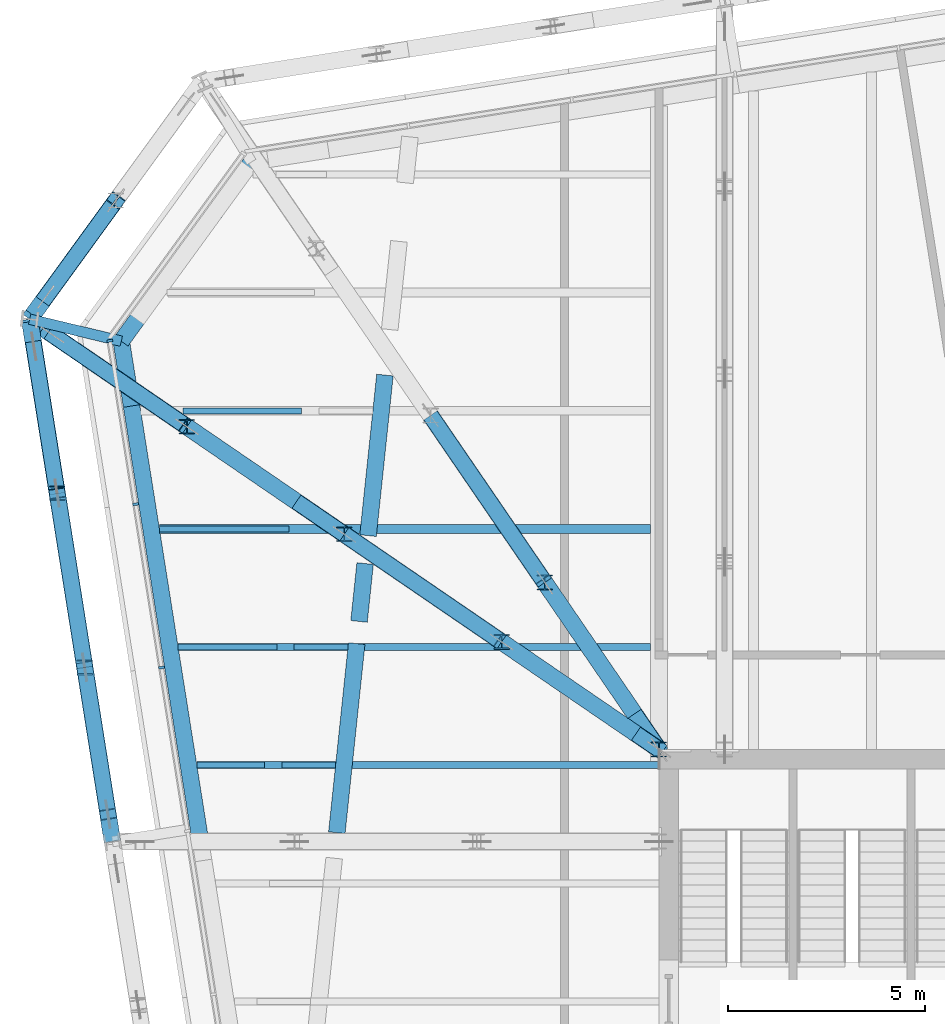
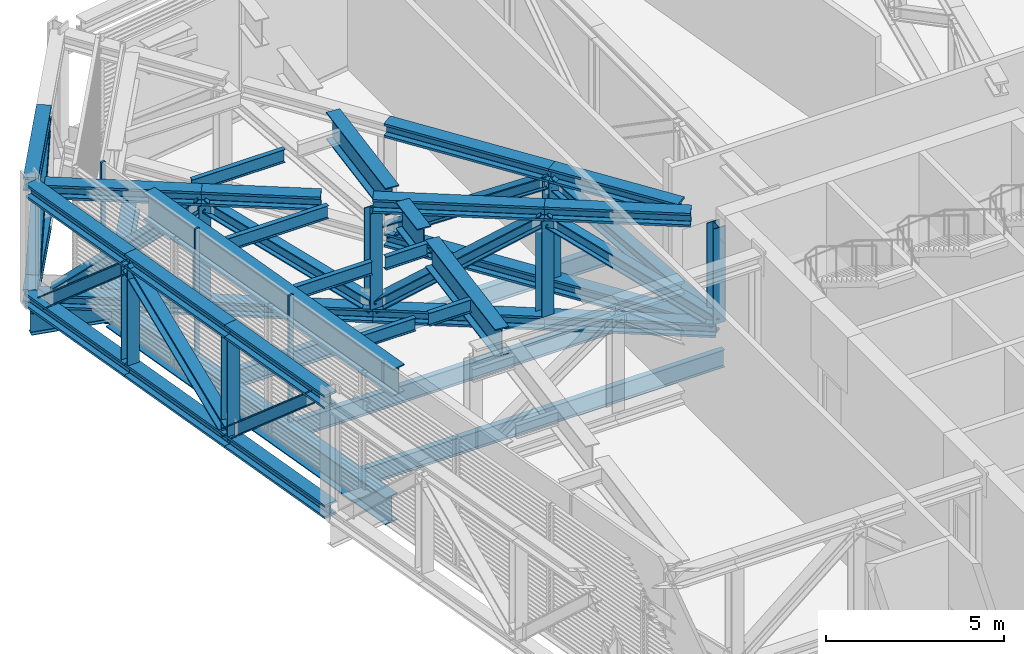
# One storey, part 12 of 32: 36 beams, 20 members, 1 element without a shape of its own.
"""IFC4 building model written with IfcOpenShell, lengths in metres."""

import ifcopenshell
import ifcopenshell.guid

model = None  # the IFC model being written
_history = None  # IfcOwnerHistory: only IFC2X3 demands one
_inside = {}  # id of a spatial element -> (the spatial element, [elements in it])
_under = {}  # id of a project, library or spatial element -> (it, [spatial elements below it])
_declared = {}  # id of a project -> (the project, [libraries it declares])
_typed = {}  # id of a type object -> (the type object, [elements of that type])
_made_of = {}  # id of a material, layer set ... -> (it, [elements and type objects made of it])


def new_model(schema):
    """Start an empty IFC model of exactly this schema.

    Asked for "IFC4X3", IfcOpenShell would pick the latest addendum, in which some entities
    have other attributes; the version numbers below select the first issue.
    IFC2X3 requires an IfcOwnerHistory on every rooted entity: one is made here for all.
    """
    global model, _history
    if schema == "IFC4X3":
        model = ifcopenshell.file(schema_version=(4, 3, 0, 0))
    else:
        model = ifcopenshell.file(schema=schema)
    _inside.clear()
    _under.clear()
    _declared.clear()
    _typed.clear()
    _made_of.clear()
    _history = None
    if model.schema == "IFC2X3":
        org = make("IfcOrganization", Name="unknown")
        user = make(
            "IfcPersonAndOrganization",
            ThePerson=make("IfcPerson", FamilyName="unknown"),
            TheOrganization=org,
        )
        app = make(
            "IfcApplication",
            ApplicationDeveloper=org,
            Version="unknown",
            ApplicationFullName="unknown",
            ApplicationIdentifier="unknown",
        )
        _history = make(
            "IfcOwnerHistory",
            OwningUser=user,
            OwningApplication=app,
            ChangeAction="ADDED",
            CreationDate=0,
        )
    return model


def make(cls, **values):
    """One entity of the class cls with the attributes given. An attribute that is None is left unset."""
    return model.create_entity(
        cls, **{name: value for name, value in values.items() if value is not None}
    )


def rooted(cls, **values):
    """An entity with a GlobalId (a new one), such as an element, a storey or a relation."""
    return make(cls, GlobalId=ifcopenshell.guid.new(), OwnerHistory=_history, **values)


def si_unit(unit_type, name, prefix=None):
    """IfcSIUnit, for example si_unit("LENGTHUNIT", "METRE", prefix="MILLI")."""
    return make("IfcSIUnit", UnitType=unit_type, Prefix=prefix, Name=name)


def assignment(units):
    """IfcUnitAssignment: the units of a project."""
    return None if units is None else make("IfcUnitAssignment", Units=units)


def point(xyz):
    """IfcCartesianPoint."""
    return None if xyz is None else make("IfcCartesianPoint", Coordinates=xyz)


def direction(xyz):
    """IfcDirection."""
    return None if xyz is None else make("IfcDirection", DirectionRatios=xyz)


def frame(location, z_axis=None, x_axis=None):
    """IfcAxis2Placement3D, a coordinate frame: its origin and axes. An axis left out is left unset."""
    return make(
        "IfcAxis2Placement3D",
        Location=point(location),
        Axis=direction(z_axis),
        RefDirection=direction(x_axis),
    )


def frame_2d(location, x_axis=None):
    """IfcAxis2Placement2D, a coordinate frame in the plane: its origin and x axis."""
    return make(
        "IfcAxis2Placement2D", Location=point(location), RefDirection=direction(x_axis)
    )


def origin():
    """The frame at (0, 0, 0) with its axes left unset."""
    return frame((0.0, 0.0, 0.0))


def origin_2d():
    """The frame at (0, 0) in the plane with its x axis left unset."""
    return frame_2d((0.0, 0.0))


def place(relative_to, where):
    """IfcLocalPlacement: puts the frame where relative to a parent placement (None: the world)."""
    return make(
        "IfcLocalPlacement", PlacementRelTo=relative_to, RelativePlacement=where
    )


def context(
    kind, dimensions, precision=None, world=None, true_north=None, identifier=None
):
    """IfcGeometricRepresentationContext, for example the 3D "Model" context."""
    return make(
        "IfcGeometricRepresentationContext",
        ContextIdentifier=identifier,
        ContextType=kind,
        CoordinateSpaceDimension=dimensions,
        Precision=precision,
        WorldCoordinateSystem=world,
        TrueNorth=true_north,
    )


def subcontext(parent, identifier, kind, view, scale=None):
    """IfcGeometricRepresentationSubContext, for example "Body" below "Model"."""
    return make(
        "IfcGeometricRepresentationSubContext",
        ContextIdentifier=identifier,
        ContextType=kind,
        ParentContext=parent,
        TargetScale=scale,
        TargetView=view,
    )


def project(units=None, contexts=None):
    """IfcProject with its units and contexts."""
    return rooted(
        "IfcProject",
        Name="project",
        RepresentationContexts=contexts,
        UnitsInContext=assignment(units),
    )


def spatial(cls, under=None, at=None, **own):
    """A site, building, storey or space (cls), placed at a placement, below another one or the project."""
    s = rooted(cls, ObjectPlacement=at, **own)
    if under is not None:
        _under.setdefault(under.id(), (under, []))[1].append(s)
    return s


def profile(cls, at=None, kind="AREA", **sizes):
    """A parametric profile (cls). Its sizes go by their IFC names, for example OverallWidth=200.0."""
    return make(cls, ProfileType=kind, Position=at, **sizes)


def rectangle(**sizes):
    """IfcRectangleProfileDef."""
    return profile("IfcRectangleProfileDef", **sizes)


def i_section(**sizes):
    """IfcIShapeProfileDef."""
    return profile("IfcIShapeProfileDef", **sizes)


def extrude(swept, where, along, depth):
    """IfcExtrudedAreaSolid: the profile swept, set in the frame where, extruded along a direction by depth."""
    return make(
        "IfcExtrudedAreaSolid",
        SweptArea=swept,
        Position=where,
        ExtrudedDirection=direction(along),
        Depth=depth,
    )


def shape(context_of_items, identifier, shape_type, items):
    """IfcShapeRepresentation: the items that make up one representation, for example the "Body"."""
    return make(
        "IfcShapeRepresentation",
        ContextOfItems=context_of_items,
        RepresentationIdentifier=identifier,
        RepresentationType=shape_type,
        Items=items,
    )


def material(Name=None, Category=None):
    """IfcMaterial."""
    return make("IfcMaterial", Name=Name, Category=Category)


def layer(
    of_material, thickness, ventilated=None, Name=None, Category=None, Priority=None
):
    """IfcMaterialLayer: one layer of a wall or slab, of a material (None: an air gap)."""
    return make(
        "IfcMaterialLayer",
        Material=of_material,
        LayerThickness=thickness,
        IsVentilated=ventilated,
        Name=Name,
        Category=Category,
        Priority=Priority,
    )


def layer_set(layers, Name=None):
    """IfcMaterialLayerSet."""
    return make("IfcMaterialLayerSet", MaterialLayers=layers, LayerSetName=Name)


def material_profile(
    of_material, cross_section, Name=None, Category=None, Priority=None
):
    """IfcMaterialProfile: a cross section and its material."""
    return make(
        "IfcMaterialProfile",
        Name=Name,
        Material=of_material,
        Profile=cross_section,
        Priority=Priority,
        Category=Category,
    )


def profile_set(profiles, Name=None, composite=None):
    """IfcMaterialProfileSet."""
    return make(
        "IfcMaterialProfileSet",
        Name=Name,
        MaterialProfiles=profiles,
        CompositeProfile=composite,
    )


def made_of(thing, what):
    """Note that an element or type object is made of a material, layer set ...; save() writes the relation."""
    if what is not None:
        _made_of.setdefault(what.id(), (what, []))[1].append(thing)
    return thing


def type_object(cls, material=None, **own):
    """A type object (cls), such as IfcWallType, which elements share."""
    return made_of(rooted(cls, **own), material)


def element(
    cls,
    number,
    at=None,
    inside=None,
    cuts=None,
    type_object=None,
    material=None,
    context=None,
    identifier="Body",
    shape_type=None,
    held_by="IfcProductDefinitionShape",
    body=None,
    shapes=None,
    **own,
):
    """One element of the class cls, such as IfcWall. Its Tag is "e" and its number.

    at: its placement. inside: the storey or other place that contains it. cuts: it is an
    opening in that element (IfcRelVoidsElement). A single representation is given by context,
    identifier, shape_type and body (its items); several are given by shapes. held_by: the class
    of the entity that holds the representations. save() writes the other relations.
    """
    e = rooted(cls, Tag="e%d" % number, ObjectPlacement=at, **own)
    if body is not None:
        shapes = [shape(context, identifier, shape_type, body)]
    if shapes is not None:
        e.Representation = make(held_by, Representations=shapes)
    if inside is not None:
        _inside.setdefault(inside.id(), (inside, []))[1].append(e)
    if cuts is not None:
        rooted(
            "IfcRelVoidsElement", RelatingBuildingElement=cuts, RelatedOpeningElement=e
        )
    if type_object is not None:
        _typed.setdefault(type_object.id(), (type_object, []))[1].append(e)
    return made_of(e, material)


def aggregate(whole, parts):
    """IfcRelAggregates: a whole, such as a stair, and the parts it consists of."""
    return rooted("IfcRelAggregates", RelatingObject=whole, RelatedObjects=parts)


def save(model, path):
    """Write the relations noted so far, then the file.

    IfcRelAggregates (storeys below a building ...), IfcRelContainedInSpatialStructure (elements
    in a storey), IfcRelDefinesByType, IfcRelAssociatesMaterial and IfcRelDeclares: one each for
    every whole, place, type object, material and project.
    """
    for whole, parts in _under.values():
        aggregate(whole, parts)
    for where, things in _inside.values():
        rooted(
            "IfcRelContainedInSpatialStructure",
            RelatedElements=things,
            RelatingStructure=where,
        )
    for kind, things in _typed.values():
        rooted("IfcRelDefinesByType", RelatedObjects=things, RelatingType=kind)
    for what, things in _made_of.values():
        rooted("IfcRelAssociatesMaterial", RelatedObjects=things, RelatingMaterial=what)
    for by, libraries in _declared.values():
        rooted("IfcRelDeclares", RelatingContext=by, RelatedDefinitions=libraries)
    model.write(path)


model = new_model("IFC4")

# Units and contexts
model_context = context("Model", 3, precision=1e-05, world=origin(), true_north=direction((0.0, 1.0)))
body_context = subcontext(model_context, "Body", "Model", "MODEL_VIEW")
ifc_project = project(units=[si_unit("LENGTHUNIT", "METRE"), si_unit("AREAUNIT", "SQUARE_METRE"), si_unit("VOLUMEUNIT", "CUBIC_METRE"), si_unit("PLANEANGLEUNIT", "RADIAN"), si_unit("MASSUNIT", "GRAM", prefix="KILO")], contexts=[model_context])

# Site, building, storey
site_placement = place(None, origin())
site = spatial("IfcSite", under=ifc_project, at=site_placement, CompositionType="ELEMENT")
building_placement = place(site_placement, origin())
building = spatial("IfcBuilding", under=site, at=building_placement, Name="Millrace Tower", CompositionType="ELEMENT")
storey_placement = place(building_placement, frame((0.0, 0.0, 266.89990234375)))
storey = spatial("IfcBuildingStorey", under=building, at=storey_placement, Name="L61", CompositionType="ELEMENT", Elevation=266.89990234375)

# Beams
ifc_material_1 = material(Name="Steel ASTM A992 Grade 50", Category="steel")
ifc_material_profile_1 = material_profile(ifc_material_1, i_section(OverallWidth=0.424072265625, OverallDepth=0.47509765625, WebThickness=0.0478515625, FlangeThickness=0.0771484375, FilletRadius=0.014892578125, at=origin_2d()))
ifc_profile_set_1 = profile_set([ifc_material_profile_1], Name="Steel ASTM A992 Grade 50")
beam_type_1 = type_object("IfcBeamType", Name="Belt truss chord W14x426", PredefinedType="BEAM", material=ifc_profile_set_1)
beam_1_placement = place(storey_placement, frame((-28.1875, 23.34033203125, 0.237548828125), z_axis=(-0.587774393355, -0.809024883744, 0.0), x_axis=(0.809024883744, -0.587774393355, 0.0)))
element("IfcBeam", 1, at=beam_1_placement, inside=storey, type_object=beam_type_1, Name="BLT-L61-R13-B02", PredefinedType="BEAM", context=body_context, shape_type="SweptSolid", body=[
    extrude(i_section(OverallWidth=0.424072265625, OverallDepth=0.47509765625, WebThickness=0.0478515625, FlangeThickness=0.0771484375, FilletRadius=0.014892578125, at=origin_2d()), origin(), (0.0, 0.0, 1.0), 3.7275390625),
])
beam_2_placement = place(storey_placement, frame((-30.37841796875, 20.32470703125, 0.237548828125), z_axis=(0.156424684061, -0.9876898897, 0.0), x_axis=(0.9876898897, 0.156424684061, 0.0)))
element("IfcBeam", 2, at=beam_2_placement, inside=storey, type_object=beam_type_1, Name="BLT-L61-R14-B01", PredefinedType="BEAM", context=body_context, shape_type="SweptSolid", body=[
    extrude(i_section(OverallWidth=0.424072265625, OverallDepth=0.47509765625, WebThickness=0.0478515625, FlangeThickness=0.0771484375, FilletRadius=0.014892578125, at=origin_2d()), origin(), (0.0, 0.0, 1.0), 4.476318359375),
])
for number, where, z_axis, x_axis, name in (
    (3, (-29.67822265625, 15.903564453125, 0.237548828125), (0.156433111103, -0.987688555037, 0.0), (0.987688555037, 0.156433111103, 0.0), "BLT-L61-R14-B02"),
    (4, (-29.67822265625, 15.903564453125, 4.002685546875), (0.156433111103, -0.987688555037, 0.0), (0.987688555037, 0.156433111103, 0.0), "BLT-L61-R14-T02"),
):
    element("IfcBeam", number, at=place(storey_placement, frame(where, z_axis=z_axis, x_axis=x_axis)), inside=storey, type_object=beam_type_1, Name=name, PredefinedType="BEAM", context=body_context, shape_type="SweptSolid", body=[
        extrude(i_section(OverallWidth=0.424072265625, OverallDepth=0.47509765625, WebThickness=0.0478515625, FlangeThickness=0.0771484375, FilletRadius=0.014892578125, at=origin_2d()), origin(), (0.0, 0.0, 1.0), 4.47607421875),
    ])
for number, where, z_axis, x_axis, name in (
    (5, (-28.97802734375, 11.482666015625, 0.237548828125), (0.156424684061, -0.9876898897, 0.0), (0.9876898897, 0.156424684061, 0.0), "BLT-L61-R14-B03"),
    (6, (-28.97802734375, 11.482666015625, 4.002685546875), (0.156424684061, -0.9876898897, 0.0), (0.9876898897, 0.156424684061, 0.0), "BLT-L61-R14-T03"),
):
    element("IfcBeam", number, at=place(storey_placement, frame(where, z_axis=z_axis, x_axis=x_axis)), inside=storey, type_object=beam_type_1, Name=name, PredefinedType="BEAM", context=body_context, shape_type="SweptSolid", body=[
        extrude(i_section(OverallWidth=0.424072265625, OverallDepth=0.47509765625, WebThickness=0.0478515625, FlangeThickness=0.0771484375, FilletRadius=0.014892578125, at=origin_2d()), origin(), (0.0, 0.0, 1.0), 4.476318359375),
    ])
beam_3_placement = place(storey_placement, frame((-28.1875, 23.34033203125, 4.002685546875), z_axis=(-0.587759709759, -0.809035551496, 0.0), x_axis=(0.809035551496, -0.587759709759, 0.0)))
element("IfcBeam", 7, at=beam_3_placement, inside=storey, type_object=beam_type_1, Name="BLT-L61-R13-T02", PredefinedType="BEAM", context=body_context, shape_type="SweptSolid", body=[
    extrude(i_section(OverallWidth=0.424072265625, OverallDepth=0.47509765625, WebThickness=0.0478515625, FlangeThickness=0.0771484375, FilletRadius=0.014892578125, at=origin_2d()), origin(), (0.0, 0.0, 1.0), 3.5947265625),
])
beam_4_placement = place(storey_placement, frame((-30.3681640625, 20.260009765625, 4.002685546875), z_axis=(0.156423020229, -0.987690153207, 0.0), x_axis=(0.987690153207, 0.156423020229, 0.0)))
element("IfcBeam", 8, at=beam_4_placement, inside=storey, type_object=beam_type_1, Name="BLT-L61-R14-T01", PredefinedType="BEAM", context=body_context, shape_type="SweptSolid", body=[
    extrude(i_section(OverallWidth=0.424072265625, OverallDepth=0.47509765625, WebThickness=0.0478515625, FlangeThickness=0.0771484375, FilletRadius=0.014892578125, at=origin_2d()), origin(), (0.0, 0.0, 1.0), 4.41064453125),
])

# Members
ifc_material_2 = material(Name="Steel ASTM A992 Grade 50", Category="steel")
ifc_material_profile_2 = material_profile(ifc_material_2, i_section(OverallWidth=0.398681640625, OverallDepth=0.385986328125, WebThickness=0.02099609375, FlangeThickness=0.033203125, FilletRadius=0.01513671875, at=origin_2d()))
ifc_profile_set_2 = profile_set([ifc_material_profile_2], Name="Steel ASTM A992 Grade 50")
member_type_1 = type_object("IfcMemberType", Name="Belt truss diagonal W14x176", PredefinedType="BRACE", material=ifc_profile_set_2)
member_1_placement = place(storey_placement, frame((-29.967041015625, 20.890869140625, 0.47509765625), z_axis=(0.398007112135, 0.547839944581, 0.735840834564), x_axis=(-0.809032377573, 0.587764078554, 0.0)))
element("IfcMember", 9, at=member_1_placement, inside=storey, type_object=member_type_1, Name="BLT-L61-R13-D02", PredefinedType="BRACE", context=body_context, shape_type="SweptSolid", body=[
    extrude(i_section(OverallWidth=0.398681640625, OverallDepth=0.385986328125, WebThickness=0.02099609375, FlangeThickness=0.033203125, FilletRadius=0.01513671875, at=origin_2d()), origin(), (0.0, 0.0, 1.0), 4.47119140625),
])
member_2_placement = place(storey_placement, frame((-30.268798828125, 19.63330078125, 0.47509765625), z_axis=(0.117917134143, -0.744696179539, 0.6569042165), x_axis=(0.987694723912, 0.156394157043, 0.0)))
element("IfcMember", 10, at=member_2_placement, inside=storey, type_object=member_type_1, Name="BLT-L61-R14-D01", PredefinedType="BRACE", context=body_context, shape_type="SweptSolid", body=[
    extrude(i_section(OverallWidth=0.398681640625, OverallDepth=0.385986328125, WebThickness=0.02099609375, FlangeThickness=0.033203125, FilletRadius=0.01513671875, at=origin_2d()), origin(), (0.0, 0.0, 1.0), 5.00830078125),
])
member_3_placement = place(storey_placement, frame((-28.97802734375, 11.482666015625, 0.47509765625), z_axis=(-0.126045823865, 0.795829072017, 0.59225715565), x_axis=(-0.987688555037, -0.156433111103, 0.0)))
element("IfcMember", 11, at=member_3_placement, inside=storey, type_object=member_type_1, Name="BLT-L61-R14-D02", PredefinedType="BRACE", context=body_context, shape_type="SweptSolid", body=[
    extrude(i_section(OverallWidth=0.398681640625, OverallDepth=0.385986328125, WebThickness=0.02099609375, FlangeThickness=0.033203125, FilletRadius=0.01513671875, at=origin_2d()), origin(), (0.0, 0.0, 1.0), 5.55517578125),
])
member_4_placement = place(storey_placement, frame((-28.97802734375, 11.482666015625, 0.47509765625), z_axis=(0.117965202171, -0.744691898166, 0.656900439856), x_axis=(0.987684735163, 0.156457227145, 0.0)))
element("IfcMember", 12, at=member_4_placement, inside=storey, type_object=member_type_1, Name="BLT-L61-R14-D03", PredefinedType="BRACE", context=body_context, shape_type="SweptSolid", body=[
    extrude(i_section(OverallWidth=0.398681640625, OverallDepth=0.385986328125, WebThickness=0.02099609375, FlangeThickness=0.033203125, FilletRadius=0.01513671875, at=origin_2d()), origin(), (0.0, 0.0, 1.0), 5.008544921875),
])
ifc_material_3 = material(Name="Steel ASTM A992 Grade 50", Category="steel")
ifc_material_profile_3 = material_profile(ifc_material_3, i_section(OverallWidth=0.393798828125, OverallDepth=0.3759765625, WebThickness=0.017333984375, FlangeThickness=0.027587890625, FilletRadius=0.01513671875, at=origin_2d()))
ifc_profile_set_3 = profile_set([ifc_material_profile_3], Name="Steel ASTM A992 Grade 50")
member_type_2 = type_object("IfcMemberType", Name="Belt truss post W14x145", PredefinedType="POST", material=ifc_profile_set_3)
for number, where, z_axis, x_axis, name in (
    (13, (-29.67822265625, 15.903564453125, 0.47509765625), (0.0, 0.0, 1.0), (1.0, 0.0, 0.0), "BLT-L61-R14-V01"),
    (14, (-28.97802734375, 11.482666015625, 0.47509765625), (0.0, 0.0, 1.0), (1.0, 0.0, 0.0), "BLT-L61-R14-V02"),
):
    element("IfcMember", number, at=place(storey_placement, frame(where, z_axis=z_axis, x_axis=x_axis)), inside=storey, type_object=member_type_2, Name=name, PredefinedType="POST", context=body_context, shape_type="SweptSolid", body=[
        extrude(i_section(OverallWidth=0.393798828125, OverallDepth=0.3759765625, WebThickness=0.017333984375, FlangeThickness=0.027587890625, FilletRadius=0.01513671875, at=origin_2d()), origin(), (0.0, 0.0, 1.0), 3.2900390625),
    ])

# Curtain wall, members
ifc_material_4 = material(Name="Aluminium and glass", Category="aluminium")
ifc_layer = layer(ifc_material_4, 0.14990234375)
ifc_layer_set = layer_set([ifc_layer], Name="Aluminium and glass")
curtain_wall_type = type_object("IfcCurtainWallType", Name="CW-5 truss and plant storey louvred infill", PredefinedType="NOTDEFINED", material=ifc_layer_set)
curtain_wall_placement = place(storey_placement, origin())
curtain_wall = element("IfcCurtainWall", 15, at=curtain_wall_placement, inside=storey, type_object=curtain_wall_type, Name="Curtain wall D-F08 L61", PredefinedType="NOTDEFINED")
ifc_material_5 = material(Name="Aluminium", Category="aluminium")
ifc_material_profile_4 = material_profile(ifc_material_5, rectangle(XDim=0.06494140625, YDim=0.14990234375, at=origin_2d()))
ifc_profile_set_4 = profile_set([ifc_material_profile_4], Name="Aluminium")
member_type_3 = type_object("IfcMemberType", Name="CW-5 truss and plant storey louvred infill mullion", PredefinedType="MULLION", material=ifc_profile_set_4)
member_5_placement = place(storey_placement, frame((-28.342529296875, 19.775390625, 0.14013671875), z_axis=(0.0, 0.0, 1.0), x_axis=(0.156434471884, -0.987688339511, 0.0)))
member_5 = element("IfcMember", 16, at=member_5_placement, type_object=member_type_3, Name="CW5 mullion D-F08.1", PredefinedType="MULLION", context=body_context, shape_type="SweptSolid", body=[
    extrude(rectangle(XDim=0.06494140625, YDim=0.14990234375, at=origin_2d()), origin(), (0.0, 0.0, 1.0), 4.35986328125),
])
member_6_placement = place(storey_placement, frame((-27.685302734375, 15.627197265625, 0.14013671875), z_axis=(0.0, 0.0, 1.0), x_axis=(0.156434471884, -0.987688339511, 0.0)))
member_6 = element("IfcMember", 17, at=member_6_placement, type_object=member_type_3, Name="CW5 mullion D-F08.2", PredefinedType="MULLION", context=body_context, shape_type="SweptSolid", body=[
    extrude(rectangle(XDim=0.06494140625, YDim=0.14990234375, at=origin_2d()), origin(), (0.0, 0.0, 1.0), 4.35986328125),
])
member_7_placement = place(storey_placement, frame((-27.0283203125, 11.47900390625, 0.14013671875), z_axis=(0.0, 0.0, 1.0), x_axis=(0.156434471884, -0.987688339511, 0.0)))
member_7 = element("IfcMember", 18, at=member_7_placement, type_object=member_type_3, Name="CW5 mullion D-F08.3", PredefinedType="MULLION", context=body_context, shape_type="SweptSolid", body=[
    extrude(rectangle(XDim=0.06494140625, YDim=0.14990234375, at=origin_2d()), origin(), (0.0, 0.0, 1.0), 4.35986328125),
])
aggregate(curtain_wall, [member_5, member_6, member_7])

# Beams
ifc_material_6 = material(Name="Steel ASTM A992 Grade 50", Category="steel")
ifc_material_profile_5 = material_profile(ifc_material_6, i_section(OverallWidth=0.15234375, OverallDepth=0.449462890625, WebThickness=0.007568359375, FlangeThickness=0.0107421875, FilletRadius=0.01025390625, at=origin_2d()))
ifc_profile_set_5 = profile_set([ifc_material_profile_5], Name="Steel ASTM A992 Grade 50")
beam_type_2 = type_object("IfcBeamType", Name="Floor beam W18x35", PredefinedType="JOIST", material=ifc_profile_set_5)
beam_5_placement = place(storey_placement, frame((-26.133056640625, 9.0, 4.115234375), z_axis=(1.0, 0.0, 0.0), x_axis=(0.0, 1.0, 0.0)))
element("IfcBeam", 19, at=beam_5_placement, inside=storey, type_object=beam_type_2, Name="BM-D-L61-R1-S004-a", PredefinedType="JOIST", context=body_context, shape_type="SweptSolid", body=[
    extrude(i_section(OverallWidth=0.15234375, OverallDepth=0.449462890625, WebThickness=0.007568359375, FlangeThickness=0.0107421875, FilletRadius=0.01025390625, at=origin_2d()), origin(), (0.0, 0.0, 1.0), 1.7138671875),
])
beam_6_placement = place(storey_placement, frame((-23.975830078125, 9.0, 4.115234375), z_axis=(1.0, 0.0, 0.0), x_axis=(0.0, 1.0, 0.0)))
element("IfcBeam", 20, at=beam_6_placement, inside=storey, type_object=beam_type_2, Name="BM-D-L61-R1-S004-b", PredefinedType="JOIST", context=body_context, shape_type="SweptSolid", body=[
    extrude(i_section(OverallWidth=0.15234375, OverallDepth=0.449462890625, WebThickness=0.007568359375, FlangeThickness=0.0107421875, FilletRadius=0.01025390625, at=origin_2d()), origin(), (0.0, 0.0, 1.0), 1.365234375),
])
beam_7_placement = place(storey_placement, frame((-26.608154296875, 12.0, 4.115234375), z_axis=(1.0, 0.0, 0.0), x_axis=(0.0, 1.0, 0.0)))
element("IfcBeam", 21, at=beam_7_placement, inside=storey, type_object=beam_type_2, Name="BM-D-L61-R1-S005-a", PredefinedType="JOIST", context=body_context, shape_type="SweptSolid", body=[
    extrude(i_section(OverallWidth=0.15234375, OverallDepth=0.449462890625, WebThickness=0.007568359375, FlangeThickness=0.0107421875, FilletRadius=0.01025390625, at=origin_2d()), origin(), (0.0, 0.0, 1.0), 2.50390625),
])
beam_8_placement = place(storey_placement, frame((-23.660400390625, 12.0, 4.115234375), z_axis=(1.0, 0.0, 0.0), x_axis=(0.0, 1.0, 0.0)))
element("IfcBeam", 22, at=beam_8_placement, inside=storey, type_object=beam_type_2, Name="BM-D-L61-R1-S005-b", PredefinedType="JOIST", context=body_context, shape_type="SweptSolid", body=[
    extrude(i_section(OverallWidth=0.15234375, OverallDepth=0.449462890625, WebThickness=0.007568359375, FlangeThickness=0.0107421875, FilletRadius=0.01025390625, at=origin_2d()), origin(), (0.0, 0.0, 1.0), 1.365234375),
])
beam_9_placement = place(storey_placement, frame((-27.083251953125, 15.0, 4.115234375), z_axis=(1.0, 0.0, 0.0), x_axis=(0.0, 1.0, 0.0)))
element("IfcBeam", 23, at=beam_9_placement, inside=storey, type_object=beam_type_2, Name="BM-D-L61-R1-S006", PredefinedType="JOIST", context=body_context, shape_type="SweptSolid", body=[
    extrude(i_section(OverallWidth=0.15234375, OverallDepth=0.449462890625, WebThickness=0.007568359375, FlangeThickness=0.0107421875, FilletRadius=0.01025390625, at=origin_2d()), origin(), (0.0, 0.0, 1.0), 3.29443359375),
])
beam_10_placement = place(storey_placement, frame((-26.487548828125, 18.0, 4.115234375), z_axis=(1.0, 0.0, 0.0), x_axis=(0.0, 1.0, 0.0)))
element("IfcBeam", 24, at=beam_10_placement, inside=storey, type_object=beam_type_2, Name="BM-D-L61-R1-S007-a", PredefinedType="JOIST", context=body_context, shape_type="SweptSolid", body=[
    extrude(i_section(OverallWidth=0.15234375, OverallDepth=0.449462890625, WebThickness=0.007568359375, FlangeThickness=0.0107421875, FilletRadius=0.01025390625, at=origin_2d()), origin(), (0.0, 0.0, 1.0), 3.013916015625),
])
ifc_material_7 = material(Name="Steel ASTM A992 Grade 50", Category="steel")
ifc_material_profile_6 = material_profile(ifc_material_7, i_section(OverallWidth=0.1787109375, OverallDepth=0.60205078125, WebThickness=0.010986328125, FlangeThickness=0.014892578125, FilletRadius=0.0126953125, at=origin_2d()))
ifc_profile_set_6 = profile_set([ifc_material_profile_6], Name="Steel ASTM A992 Grade 50")
beam_type_3 = type_object("IfcBeamType", Name="Floor beam W24x62", PredefinedType="JOIST", material=ifc_profile_set_6)
beam_11_placement = place(storey_placement, frame((-26.133056640625, 9.0, -0.55078125), z_axis=(1.0, 0.0, 0.0), x_axis=(0.0, 1.0, 0.0)))
element("IfcBeam", 25, at=beam_11_placement, inside=storey, type_object=beam_type_3, Name="BM-D-L61-S1-S023", PredefinedType="JOIST", context=body_context, shape_type="SweptSolid", body=[
    extrude(i_section(OverallWidth=0.1787109375, OverallDepth=0.60205078125, WebThickness=0.010986328125, FlangeThickness=0.014892578125, FilletRadius=0.0126953125, at=origin_2d()), origin(), (0.0, 0.0, 1.0), 11.733154296875),
])
beam_12_placement = place(storey_placement, frame((-26.608154296875, 12.0, -0.55078125), z_axis=(1.0, 0.0, 0.0), x_axis=(0.0, 1.0, 0.0)))
element("IfcBeam", 26, at=beam_12_placement, inside=storey, type_object=beam_type_3, Name="BM-D-L61-S1-S025", PredefinedType="JOIST", context=body_context, shape_type="SweptSolid", body=[
    extrude(i_section(OverallWidth=0.1787109375, OverallDepth=0.60205078125, WebThickness=0.010986328125, FlangeThickness=0.014892578125, FilletRadius=0.0126953125, at=origin_2d()), origin(), (0.0, 0.0, 1.0), 11.99609375),
])
ifc_material_8 = material(Name="Steel ASTM A992 Grade 50", Category="steel")
ifc_material_profile_7 = material_profile(ifc_material_8, i_section(OverallWidth=0.228271484375, OverallDepth=0.607177734375, WebThickness=0.01123046875, FlangeThickness=0.017333984375, FilletRadius=0.0126953125, at=origin_2d()))
ifc_profile_set_7 = profile_set([ifc_material_profile_7], Name="Steel ASTM A992 Grade 50")
beam_type_4 = type_object("IfcBeamType", Name="Floor beam W24x76", PredefinedType="JOIST", material=ifc_profile_set_7)
beam_13_placement = place(storey_placement, frame((-27.083251953125, 15.0, -0.553466796875), z_axis=(1.0, 0.0, 0.0), x_axis=(0.0, 1.0, 0.0)))
element("IfcBeam", 27, at=beam_13_placement, inside=storey, type_object=beam_type_4, Name="BM-D-L61-S1-S027", PredefinedType="JOIST", context=body_context, shape_type="SweptSolid", body=[
    extrude(i_section(OverallWidth=0.228271484375, OverallDepth=0.607177734375, WebThickness=0.01123046875, FlangeThickness=0.017333984375, FilletRadius=0.0126953125, at=origin_2d()), origin(), (0.0, 0.0, 1.0), 12.47119140625),
])
ifc_material_9 = material(Name="Steel ASTM A992 Grade 50", Category="steel")
ifc_material_profile_8 = material_profile(ifc_material_9, i_section(OverallWidth=0.2666015625, OverallDepth=0.7568359375, WebThickness=0.013916015625, FlangeThickness=0.019287109375, FilletRadius=0.0166015625, at=origin_2d()))
ifc_profile_set_8 = profile_set([ifc_material_profile_8], Name="Steel ASTM A992 Grade 50")
beam_type_5 = type_object("IfcBeamType", Name="Link beam W30x108", PredefinedType="BEAM", material=ifc_profile_set_8)
beam_14_placement = place(storey_placement, frame((-28.051513671875, 19.76611328125, -0.62841796875), z_axis=(-0.97237433547, 0.233426972989, 0.0), x_axis=(-0.233426972989, -0.97237433547, 0.0)))
element("IfcBeam", 28, at=beam_14_placement, inside=storey, type_object=beam_type_5, Name="LNK-D-L61-S1-04", PredefinedType="BEAM", context=body_context, shape_type="SweptSolid", body=[
    extrude(i_section(OverallWidth=0.2666015625, OverallDepth=0.7568359375, WebThickness=0.013916015625, FlangeThickness=0.019287109375, FilletRadius=0.0166015625, at=origin_2d()), origin(), (0.0, 0.0, 1.0), 2.39306640625),
])
ifc_material_10 = material(Name="Steel ASTM A992 Grade 50", Category="steel")
ifc_material_profile_9 = material_profile(ifc_material_10, i_section(OverallWidth=0.424072265625, OverallDepth=0.47509765625, WebThickness=0.0478515625, FlangeThickness=0.0771484375, FilletRadius=0.014892578125, at=origin_2d()))
ifc_profile_set_9 = profile_set([ifc_material_profile_9], Name="Steel ASTM A992 Grade 50")
beam_type_6 = type_object("IfcBeamType", Name="Outrigger truss chord W14x426", PredefinedType="BEAM", material=ifc_profile_set_9)
for number, where, z_axis, x_axis, name in (
    (29, (-14.39990234375, 9.39990234375, 0.237548828125), (-0.564523708038, 0.825416854119, 0.0), (-0.825416854119, -0.564523708038, 0.0), "BLT-L61-O13-B01"),
    (30, (-17.299072265625, 13.638916015625, 0.237548828125), (-0.564523708038, 0.825416854119, 0.0), (-0.825416854119, -0.564523708038, 0.0), "BLT-L61-O13-B02"),
    (31, (-17.299072265625, 13.638916015625, 4.002685546875), (-0.564523708038, 0.825416854119, 0.0), (-0.825416854119, -0.564523708038, 0.0), "BLT-L61-O13-T02"),
):
    element("IfcBeam", number, at=place(storey_placement, frame(where, z_axis=z_axis, x_axis=x_axis)), inside=storey, type_object=beam_type_6, Name=name, PredefinedType="BEAM", context=body_context, shape_type="SweptSolid", body=[
        extrude(i_section(OverallWidth=0.424072265625, OverallDepth=0.47509765625, WebThickness=0.0478515625, FlangeThickness=0.0771484375, FilletRadius=0.014892578125, at=origin_2d()), origin(), (0.0, 0.0, 1.0), 5.135498046875),
    ])
for number, where, z_axis, x_axis, name in (
    (32, (-14.39990234375, 9.39990234375, 0.237548828125), (-0.825496552859, 0.564407159078, 0.0), (-0.564407159078, -0.825496552859, 0.0), "BLT-L61-O14-B01"),
    (33, (-18.39453125, 12.131103515625, 0.237548828125), (-0.825496552859, 0.564407159078, 0.0), (-0.564407159078, -0.825496552859, 0.0), "BLT-L61-O14-B02"),
    (34, (-18.39453125, 12.131103515625, 4.002685546875), (-0.825496552859, 0.564407159078, 0.0), (-0.564407159078, -0.825496552859, 0.0), "BLT-L61-O14-T02"),
    (35, (-22.38916015625, 14.8623046875, 0.237548828125), (-0.825496552859, 0.564407159078, 0.0), (-0.564407159078, -0.825496552859, 0.0), "BLT-L61-O14-B03"),
    (36, (-26.3837890625, 17.593505859375, 0.237548828125), (-0.825496552859, 0.564407159078, 0.0), (-0.564407159078, -0.825496552859, 0.0), "BLT-L61-O14-B04"),
):
    element("IfcBeam", number, at=place(storey_placement, frame(where, z_axis=z_axis, x_axis=x_axis)), inside=storey, type_object=beam_type_6, Name=name, PredefinedType="BEAM", context=body_context, shape_type="SweptSolid", body=[
        extrude(i_section(OverallWidth=0.424072265625, OverallDepth=0.47509765625, WebThickness=0.0478515625, FlangeThickness=0.0771484375, FilletRadius=0.014892578125, at=origin_2d()), origin(), (0.0, 0.0, 1.0), 4.839111328125),
    ])
beam_15_placement = place(storey_placement, frame((-23.60400390625, 15.69287109375, 4.002685546875), z_axis=(-0.825490384121, 0.564416181309, 0.0), x_axis=(-0.564416181309, -0.825490384121, 0.0)))
element("IfcBeam", 37, at=beam_15_placement, inside=storey, type_object=beam_type_6, Name="BLT-L61-O14-T03", PredefinedType="BEAM", context=body_context, shape_type="SweptSolid", body=[
    extrude(i_section(OverallWidth=0.424072265625, OverallDepth=0.47509765625, WebThickness=0.0478515625, FlangeThickness=0.0771484375, FilletRadius=0.014892578125, at=origin_2d()), origin(), (0.0, 0.0, 1.0), 3.367431640625),
])
beam_16_placement = place(storey_placement, frame((-26.3837890625, 17.593505859375, 4.002685546875), z_axis=(-0.825496524602, 0.564407200406, 0.0), x_axis=(-0.564407200406, -0.825496524602, 0.0)))
element("IfcBeam", 38, at=beam_16_placement, inside=storey, type_object=beam_type_6, Name="BLT-L61-O14-T04", PredefinedType="BEAM", context=body_context, shape_type="SweptSolid", body=[
    extrude(i_section(OverallWidth=0.424072265625, OverallDepth=0.47509765625, WebThickness=0.0478515625, FlangeThickness=0.0771484375, FilletRadius=0.014892578125, at=origin_2d()), origin(), (0.0, 0.0, 1.0), 4.428466796875),
])
beam_17_placement = place(storey_placement, frame((-15.01904296875, 10.30517578125, 4.002685546875), z_axis=(-0.564523546746, 0.82541696443, 0.0), x_axis=(-0.82541696443, -0.564523546746, 0.0)))
element("IfcBeam", 39, at=beam_17_placement, inside=storey, type_object=beam_type_6, Name="BLT-L61-O13-T01", PredefinedType="BEAM", context=body_context, shape_type="SweptSolid", body=[
    extrude(i_section(OverallWidth=0.424072265625, OverallDepth=0.47509765625, WebThickness=0.0478515625, FlangeThickness=0.0771484375, FilletRadius=0.014892578125, at=origin_2d()), origin(), (0.0, 0.0, 1.0), 4.038818359375),
])
beam_18_placement = place(storey_placement, frame((-14.983642578125, 9.799072265625, 4.002685546875), z_axis=(-0.825502867337, 0.564397923471, 0.0), x_axis=(-0.564397923471, -0.825502867337, 0.0)))
element("IfcBeam", 40, at=beam_18_placement, inside=storey, type_object=beam_type_6, Name="BLT-L61-O14-T01", PredefinedType="BEAM", context=body_context, shape_type="SweptSolid", body=[
    extrude(i_section(OverallWidth=0.424072265625, OverallDepth=0.47509765625, WebThickness=0.0478515625, FlangeThickness=0.0771484375, FilletRadius=0.014892578125, at=origin_2d()), origin(), (0.0, 0.0, 1.0), 4.1318359375),
])

# Members
ifc_material_11 = material(Name="Steel ASTM A992 Grade 50", Category="steel")
ifc_material_profile_10 = material_profile(ifc_material_11, i_section(OverallWidth=0.398681640625, OverallDepth=0.385986328125, WebThickness=0.02099609375, FlangeThickness=0.033203125, FilletRadius=0.01513671875, at=origin_2d()))
ifc_profile_set_10 = profile_set([ifc_material_profile_10], Name="Steel ASTM A992 Grade 50")
member_type_4 = type_object("IfcMemberType", Name="Outrigger truss diagonal W14x176", PredefinedType="BRACE", material=ifc_profile_set_10)
for number, where, z_axis, x_axis, name in (
    (41, (-14.39990234375, 9.39990234375, 0.47509765625), (-0.475345427836, 0.695025066402, 0.539431998781), (-0.825416854119, -0.564523708038, 0.0), "BLT-L61-O13-D01"),
    (42, (-20.1982421875, 17.8779296875, 0.47509765625), (0.475345427836, -0.695025066402, 0.539431998781), (0.825416854119, 0.564523708038, 0.0), "BLT-L61-O13-D02"),
):
    element("IfcMember", number, at=place(storey_placement, frame(where, z_axis=z_axis, x_axis=x_axis)), inside=storey, type_object=member_type_4, Name=name, PredefinedType="BRACE", context=body_context, shape_type="SweptSolid", body=[
        extrude(i_section(OverallWidth=0.398681640625, OverallDepth=0.385986328125, WebThickness=0.02099609375, FlangeThickness=0.033203125, FilletRadius=0.01513671875, at=origin_2d()), origin(), (0.0, 0.0, 1.0), 6.09912109375),
    ])
for number, where, z_axis, x_axis, name in (
    (43, (-14.39990234375, 9.39990234375, 0.47509765625), (-0.682659283743, 0.466746694001, 0.562248900362), (-0.564407159078, -0.825496552859, 0.0), "BLT-L61-O14-D01"),
    (44, (-22.38916015625, 14.8623046875, 0.47509765625), (0.682659283743, -0.466746694001, 0.562248900362), (0.564407159078, 0.825496552859, 0.0), "BLT-L61-O14-D02"),
    (45, (-22.38916015625, 14.8623046875, 0.47509765625), (-0.682659283743, 0.466746694001, 0.562248900362), (-0.564407159078, -0.825496552859, 0.0), "BLT-L61-O14-D03"),
):
    element("IfcMember", number, at=place(storey_placement, frame(where, z_axis=z_axis, x_axis=x_axis)), inside=storey, type_object=member_type_4, Name=name, PredefinedType="BRACE", context=body_context, shape_type="SweptSolid", body=[
        extrude(i_section(OverallWidth=0.398681640625, OverallDepth=0.385986328125, WebThickness=0.02099609375, FlangeThickness=0.033203125, FilletRadius=0.01513671875, at=origin_2d()), origin(), (0.0, 0.0, 1.0), 5.8515625),
    ])
member_8_placement = place(storey_placement, frame((-29.800537109375, 19.9296875, 0.47509765625), z_axis=(0.646209517676, -0.441842006048, 0.622245048961), x_axis=(0.56442168476, 0.825486621195, 0.0)))
element("IfcMember", 46, at=member_8_placement, inside=storey, type_object=member_type_4, Name="BLT-L61-O14-D04", PredefinedType="BRACE", context=body_context, shape_type="SweptSolid", body=[
    extrude(i_section(OverallWidth=0.398681640625, OverallDepth=0.385986328125, WebThickness=0.02099609375, FlangeThickness=0.033203125, FilletRadius=0.01513671875, at=origin_2d()), origin(), (0.0, 0.0, 1.0), 5.287353515625),
])
ifc_material_12 = material(Name="Steel ASTM A992 Grade 50", Category="steel")
ifc_material_profile_11 = material_profile(ifc_material_12, i_section(OverallWidth=0.393798828125, OverallDepth=0.3759765625, WebThickness=0.017333984375, FlangeThickness=0.027587890625, FilletRadius=0.01513671875, at=origin_2d()))
ifc_profile_set_11 = profile_set([ifc_material_profile_11], Name="Steel ASTM A992 Grade 50")
member_type_5 = type_object("IfcMemberType", Name="Outrigger truss post W14x145", PredefinedType="POST", material=ifc_profile_set_11)
for number, where, z_axis, x_axis, name in (
    (47, (-14.39990234375, 9.39990234375, 0.47509765625), (0.0, 0.0, 1.0), (1.0, 0.0, 0.0), "BLT-L61-O13-V00"),
    (48, (-17.299072265625, 13.638916015625, 0.47509765625), (0.0, 0.0, 1.0), (1.0, 0.0, 0.0), "BLT-L61-O13-V01"),
    (49, (-18.39453125, 12.131103515625, 0.47509765625), (0.0, 0.0, 1.0), (1.0, 0.0, 0.0), "BLT-L61-O14-V01"),
    (50, (-22.38916015625, 14.8623046875, 0.47509765625), (0.0, 0.0, 1.0), (1.0, 0.0, 0.0), "BLT-L61-O14-V02"),
    (51, (-26.3837890625, 17.593505859375, 0.47509765625), (0.0, 0.0, 1.0), (1.0, 0.0, 0.0), "BLT-L61-O14-V03"),
):
    element("IfcMember", number, at=place(storey_placement, frame(where, z_axis=z_axis, x_axis=x_axis)), inside=storey, type_object=member_type_5, Name=name, PredefinedType="POST", context=body_context, shape_type="SweptSolid", body=[
        extrude(i_section(OverallWidth=0.393798828125, OverallDepth=0.3759765625, WebThickness=0.017333984375, FlangeThickness=0.027587890625, FilletRadius=0.01513671875, at=origin_2d()), origin(), (0.0, 0.0, 1.0), 3.2900390625),
    ])

# Beams
ifc_material_13 = material(Name="Steel ASTM A992 Grade 50", Category="steel")
ifc_material_profile_12 = material_profile(ifc_material_13, i_section(OverallWidth=0.421630859375, OverallDepth=0.937255859375, WebThickness=0.021240234375, FlangeThickness=0.03662109375, FilletRadius=0.024169921875, at=origin_2d()))
ifc_profile_set_12 = profile_set([ifc_material_profile_12], Name="Steel ASTM A992 Grade 50")
beam_type_7 = type_object("IfcBeamType", Name="Ring beam medium span W36x262", PredefinedType="SPANDREL", material=ifc_profile_set_12)
beam_19_placement = place(storey_placement, frame((-26.09423828125, 7.407470703125, -0.718505859375), z_axis=(-0.156423449039, 0.987690085295, 0.0), x_axis=(-0.987690085295, -0.156423449039, 0.0)))
element("IfcBeam", 52, at=beam_19_placement, inside=storey, type_object=beam_type_7, Name="RNG-D-L61-S1-03", PredefinedType="SPANDREL", context=body_context, shape_type="SweptSolid", body=[
    extrude(i_section(OverallWidth=0.421630859375, OverallDepth=0.937255859375, WebThickness=0.021240234375, FlangeThickness=0.03662109375, FilletRadius=0.024169921875, at=origin_2d()), origin(), (0.0, 0.0, 1.0), 12.5126953125),
])
ifc_material_14 = material(Name="Steel ASTM A992 Grade 50", Category="steel")
ifc_material_profile_13 = material_profile(ifc_material_14, i_section(OverallWidth=0.421630859375, OverallDepth=0.937255859375, WebThickness=0.021240234375, FlangeThickness=0.03662109375, FilletRadius=0.024169921875, at=origin_2d()))
ifc_profile_set_13 = profile_set([ifc_material_profile_13], Name="Steel ASTM A992 Grade 50")
beam_type_8 = type_object("IfcBeamType", Name="Ring beam short span W36x262", PredefinedType="SPANDREL", material=ifc_profile_set_13)
beam_20_placement = place(storey_placement, frame((-28.051513671875, 19.76611328125, -0.718505859375), z_axis=(0.587781842243, 0.80901947191, 0.0), x_axis=(-0.80901947191, 0.587781842243, 0.0)))
element("IfcBeam", 53, at=beam_20_placement, inside=storey, type_object=beam_type_8, Name="RNG-D-L61-S1-04", PredefinedType="SPANDREL", context=body_context, shape_type="SweptSolid", body=[
    extrude(i_section(OverallWidth=0.421630859375, OverallDepth=0.937255859375, WebThickness=0.021240234375, FlangeThickness=0.03662109375, FilletRadius=0.024169921875, at=origin_2d()), origin(), (0.0, 0.0, 1.0), 5.62353515625),
])
beam_21_placement = place(storey_placement, frame((-26.044677734375, 7.09521484375, 3.87158203125), z_axis=(-0.156438738269, 0.987687663773, 0.0), x_axis=(-0.987687663773, -0.156438738269, 0.0)))
element("IfcBeam", 54, at=beam_21_placement, inside=storey, type_object=beam_type_8, Name="RNG-D-L61-R1-06", PredefinedType="SPANDREL", context=body_context, shape_type="SweptSolid", body=[
    extrude(i_section(OverallWidth=0.421630859375, OverallDepth=0.937255859375, WebThickness=0.021240234375, FlangeThickness=0.03662109375, FilletRadius=0.024169921875, at=origin_2d()), origin(), (0.0, 0.0, 1.0), 11.1630859375),
])
beam_22_placement = place(storey_placement, frame((-21.357421875, 18.90625, 3.87158203125), z_axis=(-0.104532857152, -0.994521433543, 0.0), x_axis=(0.994521433543, -0.104532857152, 0.0)))
element("IfcBeam", 55, at=beam_22_placement, inside=storey, type_object=beam_type_8, Name="RNG-D-L61-R1-03-b-a", PredefinedType="SPANDREL", context=body_context, shape_type="SweptSolid", body=[
    extrude(i_section(OverallWidth=0.421630859375, OverallDepth=0.937255859375, WebThickness=0.021240234375, FlangeThickness=0.03662109375, FilletRadius=0.024169921875, at=origin_2d()), origin(), (0.0, 0.0, 1.0), 4.098876953125),
])
beam_23_placement = place(storey_placement, frame((-21.8603515625, 14.12060546875, 3.87158203125), z_axis=(-0.104555811333, -0.994519020591, 0.0), x_axis=(0.994519020591, -0.104555811333, 0.0)))
element("IfcBeam", 56, at=beam_23_placement, inside=storey, type_object=beam_type_8, Name="RNG-D-L61-R1-03-b-b-a-a", PredefinedType="SPANDREL", context=body_context, shape_type="SweptSolid", body=[
    extrude(i_section(OverallWidth=0.421630859375, OverallDepth=0.937255859375, WebThickness=0.021240234375, FlangeThickness=0.03662109375, FilletRadius=0.024169921875, at=origin_2d()), origin(), (0.0, 0.0, 1.0), 1.47802734375),
])
beam_24_placement = place(storey_placement, frame((-22.073974609375, 12.08740234375, 3.87158203125), z_axis=(-0.10456896857, -0.994517637255, 0.0), x_axis=(0.994517637255, -0.10456896857, 0.0)))
element("IfcBeam", 57, at=beam_24_placement, inside=storey, type_object=beam_type_8, Name="RNG-D-L61-R1-03-b-b-a-b", PredefinedType="SPANDREL", context=body_context, shape_type="SweptSolid", body=[
    extrude(i_section(OverallWidth=0.421630859375, OverallDepth=0.937255859375, WebThickness=0.021240234375, FlangeThickness=0.03662109375, FilletRadius=0.024169921875, at=origin_2d()), origin(), (0.0, 0.0, 1.0), 4.828125),
])

save(model, "model.ifc")
